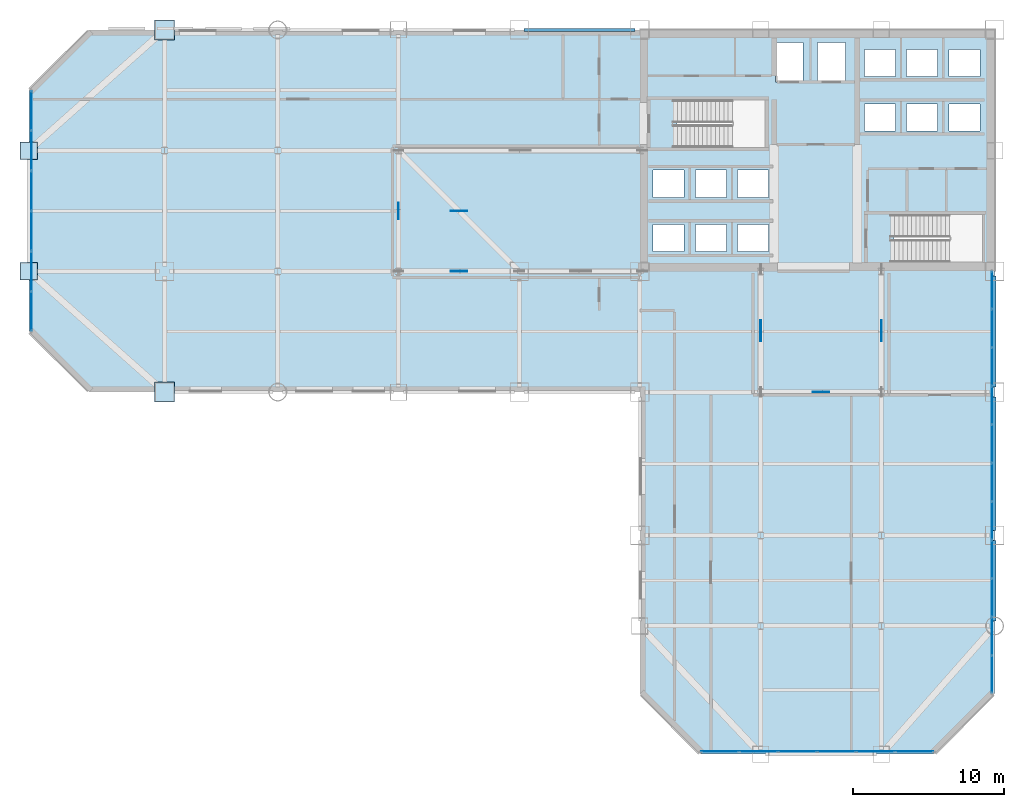
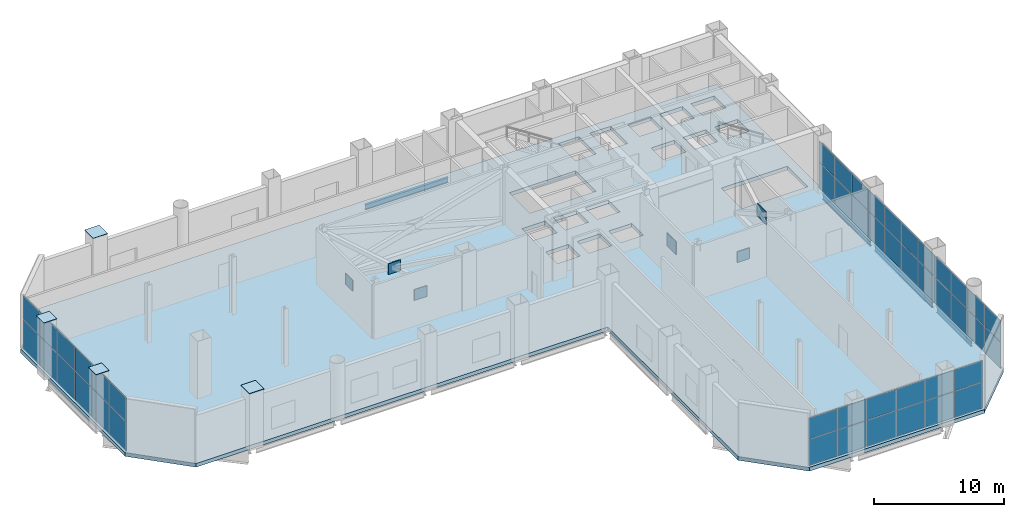
# One storey, part 20 of 26: 56 plates, 4 beams, 1 slab, 3 elements without a shape of their own.
"""IFC4 building model written with IfcOpenShell, lengths in metres."""

from ifc_helpers import new_model, si_unit, direction, frame, origin, origin_2d, place, context, subcontext, project, spatial, polyline, rectangle, i_section, outline, extrude, material, layer, layer_set, material_profile, profile_set, type_object, element, aggregate, save


model = new_model("IFC4")

# Units and contexts
model_context = context("Model", 3, precision=1e-05, world=origin(), true_north=direction((0.0, 1.0)))
body_context = subcontext(model_context, "Body", "Model", "MODEL_VIEW")
ifc_project = project(units=[si_unit("LENGTHUNIT", "METRE"), si_unit("AREAUNIT", "SQUARE_METRE"), si_unit("VOLUMEUNIT", "CUBIC_METRE"), si_unit("PLANEANGLEUNIT", "RADIAN"), si_unit("MASSUNIT", "GRAM", prefix="KILO")], contexts=[model_context])

# Site, building, storey
site_placement = place(None, origin())
site = spatial("IfcSite", under=ifc_project, at=site_placement, CompositionType="ELEMENT")
building_placement = place(site_placement, origin())
building = spatial("IfcBuilding", under=site, at=building_placement, Name="Qianrong Seaharbour Tower", CompositionType="ELEMENT")
storey_placement = place(building_placement, frame((0.0, 0.0, 108.199951171875)))
storey = spatial("IfcBuildingStorey", under=building, at=storey_placement, Name="L26", CompositionType="ELEMENT", Elevation=108.199951171875)

# Beams
ifc_material_1 = material(Name="Structural steel SN490B", Category="steel")
ifc_material_profile = material_profile(ifc_material_1, i_section(OverallWidth=0.199951171875, OverallDepth=0.5, WebThickness=0.010009765625, FlangeThickness=0.01611328125, FilletRadius=0.02001953125, at=origin_2d()), Name="H500x200x10x16")
ifc_profile_set = profile_set([ifc_material_profile], Name="Structural steel SN490B")
beam_type = type_object("IfcBeamType", Name="BM-SP-500", PredefinedType="SPANDREL", material=ifc_profile_set)
beam_1_placement = place(storey_placement, frame((32.820068359375, 52.0, -0.599853515625), z_axis=(1.0, 0.0, 0.0), x_axis=(0.0, 1.0, 0.0)))
element("IfcBeam", 1, at=beam_1_placement, inside=storey, type_object=beam_type, Name="L26 Spandrel Girder GH G5-G6", PredefinedType="SPANDREL", context=body_context, shape_type="SweptSolid", body=[
    extrude(i_section(OverallWidth=0.199951171875, OverallDepth=0.5, WebThickness=0.010009765625, FlangeThickness=0.01611328125, FilletRadius=0.02001953125, at=origin_2d()), origin(), (0.0, 0.0, 1.0), 7.35986328125),
])
beam_2_placement = place(storey_placement, frame((64.0, 12.820068359375, -0.599853515625), z_axis=(0.0, 1.0, 0.0), x_axis=(-1.0, 0.0, 0.0)))
element("IfcBeam", 2, at=beam_2_placement, inside=storey, type_object=beam_type, Name="L26 Spandrel Girder G9 GC-GD", PredefinedType="SPANDREL", context=body_context, shape_type="SweptSolid", body=[
    extrude(i_section(OverallWidth=0.199951171875, OverallDepth=0.5, WebThickness=0.010009765625, FlangeThickness=0.01611328125, FilletRadius=0.02001953125, at=origin_2d()), origin(), (0.0, 0.0, 1.0), 5.35986328125),
])
beam_3_placement = place(storey_placement, frame((64.0, 18.820068359375, -0.599853515625), z_axis=(0.0, 1.0, 0.0), x_axis=(-1.0, 0.0, 0.0)))
element("IfcBeam", 3, at=beam_3_placement, inside=storey, type_object=beam_type, Name="L26 Spandrel Girder G9 GD-GE", PredefinedType="SPANDREL", context=body_context, shape_type="SweptSolid", body=[
    extrude(i_section(OverallWidth=0.199951171875, OverallDepth=0.5, WebThickness=0.010009765625, FlangeThickness=0.01611328125, FilletRadius=0.02001953125, at=origin_2d()), origin(), (0.0, 0.0, 1.0), 8.85986328125),
])
beam_4_placement = place(storey_placement, frame((64.0, 28.320068359375, -0.599853515625), z_axis=(0.0, 1.0, 0.0), x_axis=(-1.0, 0.0, 0.0)))
element("IfcBeam", 4, at=beam_4_placement, inside=storey, type_object=beam_type, Name="L26 Spandrel Girder G9 GE-GF", PredefinedType="SPANDREL", context=body_context, shape_type="SweptSolid", body=[
    extrude(i_section(OverallWidth=0.199951171875, OverallDepth=0.5, WebThickness=0.010009765625, FlangeThickness=0.01611328125, FilletRadius=0.02001953125, at=origin_2d()), origin(), (0.0, 0.0, 1.0), 7.35986328125),
])

# Curtain wall, plates
ifc_material_2 = material(Name="Anodised aluminium 6063-T6 and laminated low-e glass", Category="aluminium")
ifc_layer_1 = layer(ifc_material_2, 0.18505859375)
ifc_layer_set_1 = layer_set([ifc_layer_1], Name="Anodised aluminium 6063-T6 and laminated low-e glass")
curtain_wall_type = type_object("IfcCurtainWallType", Name="CW-SYS-4", PredefinedType="NOTDEFINED", material=ifc_layer_set_1)
curtain_wall_1_placement = place(storey_placement, origin())
curtain_wall_1 = element("IfcCurtainWall", 5, at=curtain_wall_1_placement, inside=storey, type_object=curtain_wall_type, Name="L26 Refuge Acoustic Louvre Curtain Wall WEST_TIP", PredefinedType="NOTDEFINED")
ifc_material_3 = material(Name="Anodised aluminium acoustic louvre cassette", Category="aluminium")
ifc_layer_2 = layer(ifc_material_3, 0.044921875)
ifc_layer_set_2 = layer_set([ifc_layer_2], Name="Anodised aluminium acoustic louvre cassette")
plate_type_1 = type_object("IfcPlateType", Name="CW-PAN-LOUVRE-45", PredefinedType="CURTAIN_PANEL", material=ifc_layer_set_2)
plate_1_placement = place(storey_placement, frame((0.179931640625, 33.350830078125, 0.06494140625), z_axis=(0.0, 0.0, 1.0), x_axis=(0.0, 1.0, 0.0)))
plate_1 = element("IfcPlate", 6, at=plate_1_placement, type_object=plate_type_1, Name="CW-4 panel 1.1", PredefinedType="CURTAIN_PANEL", context=body_context, shape_type="SweptSolid", body=[
    extrude(rectangle(XDim=2.561767578125, YDim=0.044921875, at=origin_2d()), origin(), (0.0, 0.0, 1.0), 2.685546875),
])
plate_2_placement = place(storey_placement, frame((0.179931640625, 33.350830078125, 2.8154296875), z_axis=(0.0, 0.0, 1.0), x_axis=(0.0, 1.0, 0.0)))
plate_2 = element("IfcPlate", 7, at=plate_2_placement, type_object=plate_type_1, Name="CW-4 panel 1.2", PredefinedType="CURTAIN_PANEL", context=body_context, shape_type="SweptSolid", body=[
    extrude(rectangle(XDim=2.561767578125, YDim=0.044921875, at=origin_2d()), origin(), (0.0, 0.0, 1.0), 2.179443359375),
])
plate_3_placement = place(storey_placement, frame((0.179931640625, 36.0, 0.06494140625), z_axis=(0.0, 0.0, 1.0), x_axis=(0.0, 1.0, 0.0)))
plate_3 = element("IfcPlate", 8, at=plate_3_placement, type_object=plate_type_1, Name="CW-4 panel 2.1", PredefinedType="CURTAIN_PANEL", context=body_context, shape_type="SweptSolid", body=[
    extrude(rectangle(XDim=2.5966796875, YDim=0.044921875, at=origin_2d()), origin(), (0.0, 0.0, 1.0), 2.685546875),
])
plate_4_placement = place(storey_placement, frame((0.179931640625, 36.0, 2.8154296875), z_axis=(0.0, 0.0, 1.0), x_axis=(0.0, 1.0, 0.0)))
plate_4 = element("IfcPlate", 9, at=plate_4_placement, type_object=plate_type_1, Name="CW-4 panel 2.2", PredefinedType="CURTAIN_PANEL", context=body_context, shape_type="SweptSolid", body=[
    extrude(rectangle(XDim=2.5966796875, YDim=0.044921875, at=origin_2d()), origin(), (0.0, 0.0, 1.0), 2.179443359375),
])
plate_5_placement = place(storey_placement, frame((0.179931640625, 38.666748046875, 0.06494140625), z_axis=(0.0, 0.0, 1.0), x_axis=(0.0, 1.0, 0.0)))
plate_5 = element("IfcPlate", 10, at=plate_5_placement, type_object=plate_type_1, Name="CW-4 panel 3.1", PredefinedType="CURTAIN_PANEL", context=body_context, shape_type="SweptSolid", body=[
    extrude(rectangle(XDim=2.5966796875, YDim=0.044921875, at=origin_2d()), origin(), (0.0, 0.0, 1.0), 2.685546875),
])
plate_6_placement = place(storey_placement, frame((0.179931640625, 38.666748046875, 2.8154296875), z_axis=(0.0, 0.0, 1.0), x_axis=(0.0, 1.0, 0.0)))
plate_6 = element("IfcPlate", 11, at=plate_6_placement, type_object=plate_type_1, Name="CW-4 panel 3.2", PredefinedType="CURTAIN_PANEL", context=body_context, shape_type="SweptSolid", body=[
    extrude(rectangle(XDim=2.5966796875, YDim=0.044921875, at=origin_2d()), origin(), (0.0, 0.0, 1.0), 2.179443359375),
])
plate_7_placement = place(storey_placement, frame((0.179931640625, 41.333251953125, 0.06494140625), z_axis=(0.0, 0.0, 1.0), x_axis=(0.0, 1.0, 0.0)))
plate_7 = element("IfcPlate", 12, at=plate_7_placement, type_object=plate_type_1, Name="CW-4 panel 4.1", PredefinedType="CURTAIN_PANEL", context=body_context, shape_type="SweptSolid", body=[
    extrude(rectangle(XDim=2.5966796875, YDim=0.044921875, at=origin_2d()), origin(), (0.0, 0.0, 1.0), 2.685546875),
])
plate_8_placement = place(storey_placement, frame((0.179931640625, 41.333251953125, 2.8154296875), z_axis=(0.0, 0.0, 1.0), x_axis=(0.0, 1.0, 0.0)))
plate_8 = element("IfcPlate", 13, at=plate_8_placement, type_object=plate_type_1, Name="CW-4 panel 4.2", PredefinedType="CURTAIN_PANEL", context=body_context, shape_type="SweptSolid", body=[
    extrude(rectangle(XDim=2.5966796875, YDim=0.044921875, at=origin_2d()), origin(), (0.0, 0.0, 1.0), 2.179443359375),
])
plate_9_placement = place(storey_placement, frame((0.179931640625, 44.0, 0.06494140625), z_axis=(0.0, 0.0, 1.0), x_axis=(0.0, 1.0, 0.0)))
plate_9 = element("IfcPlate", 14, at=plate_9_placement, type_object=plate_type_1, Name="CW-4 panel 5.1", PredefinedType="CURTAIN_PANEL", context=body_context, shape_type="SweptSolid", body=[
    extrude(rectangle(XDim=2.5966796875, YDim=0.044921875, at=origin_2d()), origin(), (0.0, 0.0, 1.0), 2.685546875),
])
plate_10_placement = place(storey_placement, frame((0.179931640625, 44.0, 2.8154296875), z_axis=(0.0, 0.0, 1.0), x_axis=(0.0, 1.0, 0.0)))
plate_10 = element("IfcPlate", 15, at=plate_10_placement, type_object=plate_type_1, Name="CW-4 panel 5.2", PredefinedType="CURTAIN_PANEL", context=body_context, shape_type="SweptSolid", body=[
    extrude(rectangle(XDim=2.5966796875, YDim=0.044921875, at=origin_2d()), origin(), (0.0, 0.0, 1.0), 2.179443359375),
])
plate_11_placement = place(storey_placement, frame((0.179931640625, 46.649169921875, 0.06494140625), z_axis=(0.0, 0.0, 1.0), x_axis=(0.0, 1.0, 0.0)))
plate_11 = element("IfcPlate", 16, at=plate_11_placement, type_object=plate_type_1, Name="CW-4 panel 6.1", PredefinedType="CURTAIN_PANEL", context=body_context, shape_type="SweptSolid", body=[
    extrude(rectangle(XDim=2.561767578125, YDim=0.044921875, at=origin_2d()), origin(), (0.0, 0.0, 1.0), 2.685546875),
])
plate_12_placement = place(storey_placement, frame((0.179931640625, 46.649169921875, 2.8154296875), z_axis=(0.0, 0.0, 1.0), x_axis=(0.0, 1.0, 0.0)))
plate_12 = element("IfcPlate", 17, at=plate_12_placement, type_object=plate_type_1, Name="CW-4 panel 6.2", PredefinedType="CURTAIN_PANEL", context=body_context, shape_type="SweptSolid", body=[
    extrude(rectangle(XDim=2.561767578125, YDim=0.044921875, at=origin_2d()), origin(), (0.0, 0.0, 1.0), 2.179443359375),
])
aggregate(curtain_wall_1, [plate_1, plate_2, plate_3, plate_4, plate_5, plate_6, plate_7, plate_8, plate_9, plate_10, plate_11, plate_12])

curtain_wall_2_placement = place(storey_placement, origin())
curtain_wall_2 = element("IfcCurtainWall", 18, at=curtain_wall_2_placement, inside=storey, type_object=curtain_wall_type, Name="L26 Refuge Acoustic Louvre Curtain Wall EAST_WING", PredefinedType="NOTDEFINED")
plate_13_placement = place(storey_placement, frame((63.820068359375, 34.757568359375, 0.06494140625), z_axis=(0.0, 0.0, 1.0), x_axis=(0.0, -1.0, 0.0)))
plate_13 = element("IfcPlate", 19, at=plate_13_placement, type_object=plate_type_1, Name="CW-4 panel 1.1", PredefinedType="CURTAIN_PANEL", context=body_context, shape_type="SweptSolid", body=[
    extrude(rectangle(XDim=2.445068359375, YDim=0.044921875, at=origin_2d()), origin(), (0.0, 0.0, 1.0), 2.410400390625),
])
plate_14_placement = place(storey_placement, frame((63.820068359375, 34.757568359375, 2.54052734375), z_axis=(0.0, 0.0, 1.0), x_axis=(0.0, -1.0, 0.0)))
plate_14 = element("IfcPlate", 20, at=plate_14_placement, type_object=plate_type_1, Name="CW-4 panel 1.2", PredefinedType="CURTAIN_PANEL", context=body_context, shape_type="SweptSolid", body=[
    extrude(rectangle(XDim=2.445068359375, YDim=0.044921875, at=origin_2d()), origin(), (0.0, 0.0, 1.0), 1.95458984375),
])
plate_15_placement = place(storey_placement, frame((63.820068359375, 32.22509765625, 0.06494140625), z_axis=(0.0, 0.0, 1.0), x_axis=(0.0, -1.0, 0.0)))
plate_15 = element("IfcPlate", 21, at=plate_15_placement, type_object=plate_type_1, Name="CW-4 panel 2.1", PredefinedType="CURTAIN_PANEL", context=body_context, shape_type="SweptSolid", body=[
    extrude(rectangle(XDim=2.47998046875, YDim=0.044921875, at=origin_2d()), origin(), (0.0, 0.0, 1.0), 2.410400390625),
])
plate_16_placement = place(storey_placement, frame((63.820068359375, 32.22509765625, 2.54052734375), z_axis=(0.0, 0.0, 1.0), x_axis=(0.0, -1.0, 0.0)))
plate_16 = element("IfcPlate", 22, at=plate_16_placement, type_object=plate_type_1, Name="CW-4 panel 2.2", PredefinedType="CURTAIN_PANEL", context=body_context, shape_type="SweptSolid", body=[
    extrude(rectangle(XDim=2.47998046875, YDim=0.044921875, at=origin_2d()), origin(), (0.0, 0.0, 1.0), 1.95458984375),
])
plate_17_placement = place(storey_placement, frame((63.820068359375, 29.675048828125, 0.06494140625), z_axis=(0.0, 0.0, 1.0), x_axis=(0.0, -1.0, 0.0)))
plate_17 = element("IfcPlate", 23, at=plate_17_placement, type_object=plate_type_1, Name="CW-4 panel 3.1", PredefinedType="CURTAIN_PANEL", context=body_context, shape_type="SweptSolid", body=[
    extrude(rectangle(XDim=2.47998046875, YDim=0.044921875, at=origin_2d()), origin(), (0.0, 0.0, 1.0), 2.410400390625),
])
plate_18_placement = place(storey_placement, frame((63.820068359375, 29.675048828125, 2.54052734375), z_axis=(0.0, 0.0, 1.0), x_axis=(0.0, -1.0, 0.0)))
plate_18 = element("IfcPlate", 24, at=plate_18_placement, type_object=plate_type_1, Name="CW-4 panel 3.2", PredefinedType="CURTAIN_PANEL", context=body_context, shape_type="SweptSolid", body=[
    extrude(rectangle(XDim=2.47998046875, YDim=0.044921875, at=origin_2d()), origin(), (0.0, 0.0, 1.0), 1.95458984375),
])
plate_19_placement = place(storey_placement, frame((63.820068359375, 27.125, 0.06494140625), z_axis=(0.0, 0.0, 1.0), x_axis=(0.0, -1.0, 0.0)))
plate_19 = element("IfcPlate", 25, at=plate_19_placement, type_object=plate_type_1, Name="CW-4 panel 4.1", PredefinedType="CURTAIN_PANEL", context=body_context, shape_type="SweptSolid", body=[
    extrude(rectangle(XDim=2.47998046875, YDim=0.044921875, at=origin_2d()), origin(), (0.0, 0.0, 1.0), 2.410400390625),
])
plate_20_placement = place(storey_placement, frame((63.820068359375, 27.125, 2.54052734375), z_axis=(0.0, 0.0, 1.0), x_axis=(0.0, -1.0, 0.0)))
plate_20 = element("IfcPlate", 26, at=plate_20_placement, type_object=plate_type_1, Name="CW-4 panel 4.2", PredefinedType="CURTAIN_PANEL", context=body_context, shape_type="SweptSolid", body=[
    extrude(rectangle(XDim=2.47998046875, YDim=0.044921875, at=origin_2d()), origin(), (0.0, 0.0, 1.0), 1.95458984375),
])
plate_21_placement = place(storey_placement, frame((63.820068359375, 24.574951171875, 0.06494140625), z_axis=(0.0, 0.0, 1.0), x_axis=(0.0, -1.0, 0.0)))
plate_21 = element("IfcPlate", 27, at=plate_21_placement, type_object=plate_type_1, Name="CW-4 panel 5.1", PredefinedType="CURTAIN_PANEL", context=body_context, shape_type="SweptSolid", body=[
    extrude(rectangle(XDim=2.47998046875, YDim=0.044921875, at=origin_2d()), origin(), (0.0, 0.0, 1.0), 2.410400390625),
])
plate_22_placement = place(storey_placement, frame((63.820068359375, 24.574951171875, 2.54052734375), z_axis=(0.0, 0.0, 1.0), x_axis=(0.0, -1.0, 0.0)))
plate_22 = element("IfcPlate", 28, at=plate_22_placement, type_object=plate_type_1, Name="CW-4 panel 5.2", PredefinedType="CURTAIN_PANEL", context=body_context, shape_type="SweptSolid", body=[
    extrude(rectangle(XDim=2.47998046875, YDim=0.044921875, at=origin_2d()), origin(), (0.0, 0.0, 1.0), 1.95458984375),
])
plate_23_placement = place(storey_placement, frame((63.820068359375, 22.02490234375, 0.06494140625), z_axis=(0.0, 0.0, 1.0), x_axis=(0.0, -1.0, 0.0)))
plate_23 = element("IfcPlate", 29, at=plate_23_placement, type_object=plate_type_1, Name="CW-4 panel 6.1", PredefinedType="CURTAIN_PANEL", context=body_context, shape_type="SweptSolid", body=[
    extrude(rectangle(XDim=2.47998046875, YDim=0.044921875, at=origin_2d()), origin(), (0.0, 0.0, 1.0), 2.410400390625),
])
plate_24_placement = place(storey_placement, frame((63.820068359375, 22.02490234375, 2.54052734375), z_axis=(0.0, 0.0, 1.0), x_axis=(0.0, -1.0, 0.0)))
plate_24 = element("IfcPlate", 30, at=plate_24_placement, type_object=plate_type_1, Name="CW-4 panel 6.2", PredefinedType="CURTAIN_PANEL", context=body_context, shape_type="SweptSolid", body=[
    extrude(rectangle(XDim=2.47998046875, YDim=0.044921875, at=origin_2d()), origin(), (0.0, 0.0, 1.0), 1.95458984375),
])
plate_25_placement = place(storey_placement, frame((63.820068359375, 19.47509765625, 0.06494140625), z_axis=(0.0, 0.0, 1.0), x_axis=(0.0, -1.0, 0.0)))
plate_25 = element("IfcPlate", 31, at=plate_25_placement, type_object=plate_type_1, Name="CW-4 panel 7.1", PredefinedType="CURTAIN_PANEL", context=body_context, shape_type="SweptSolid", body=[
    extrude(rectangle(XDim=2.47998046875, YDim=0.044921875, at=origin_2d()), origin(), (0.0, 0.0, 1.0), 2.410400390625),
])
plate_26_placement = place(storey_placement, frame((63.820068359375, 19.47509765625, 2.54052734375), z_axis=(0.0, 0.0, 1.0), x_axis=(0.0, -1.0, 0.0)))
plate_26 = element("IfcPlate", 32, at=plate_26_placement, type_object=plate_type_1, Name="CW-4 panel 7.2", PredefinedType="CURTAIN_PANEL", context=body_context, shape_type="SweptSolid", body=[
    extrude(rectangle(XDim=2.47998046875, YDim=0.044921875, at=origin_2d()), origin(), (0.0, 0.0, 1.0), 1.95458984375),
])
plate_27_placement = place(storey_placement, frame((63.820068359375, 16.925048828125, 0.06494140625), z_axis=(0.0, 0.0, 1.0), x_axis=(0.0, -1.0, 0.0)))
plate_27 = element("IfcPlate", 33, at=plate_27_placement, type_object=plate_type_1, Name="CW-4 panel 8.1", PredefinedType="CURTAIN_PANEL", context=body_context, shape_type="SweptSolid", body=[
    extrude(rectangle(XDim=2.47998046875, YDim=0.044921875, at=origin_2d()), origin(), (0.0, 0.0, 1.0), 2.410400390625),
])
plate_28_placement = place(storey_placement, frame((63.820068359375, 16.925048828125, 2.54052734375), z_axis=(0.0, 0.0, 1.0), x_axis=(0.0, -1.0, 0.0)))
plate_28 = element("IfcPlate", 34, at=plate_28_placement, type_object=plate_type_1, Name="CW-4 panel 8.2", PredefinedType="CURTAIN_PANEL", context=body_context, shape_type="SweptSolid", body=[
    extrude(rectangle(XDim=2.47998046875, YDim=0.044921875, at=origin_2d()), origin(), (0.0, 0.0, 1.0), 1.95458984375),
])
plate_29_placement = place(storey_placement, frame((63.820068359375, 14.375, 0.06494140625), z_axis=(0.0, 0.0, 1.0), x_axis=(0.0, -1.0, 0.0)))
plate_29 = element("IfcPlate", 35, at=plate_29_placement, type_object=plate_type_1, Name="CW-4 panel 9.1", PredefinedType="CURTAIN_PANEL", context=body_context, shape_type="SweptSolid", body=[
    extrude(rectangle(XDim=2.47998046875, YDim=0.044921875, at=origin_2d()), origin(), (0.0, 0.0, 1.0), 2.410400390625),
])
plate_30_placement = place(storey_placement, frame((63.820068359375, 14.375, 2.54052734375), z_axis=(0.0, 0.0, 1.0), x_axis=(0.0, -1.0, 0.0)))
plate_30 = element("IfcPlate", 36, at=plate_30_placement, type_object=plate_type_1, Name="CW-4 panel 9.2", PredefinedType="CURTAIN_PANEL", context=body_context, shape_type="SweptSolid", body=[
    extrude(rectangle(XDim=2.47998046875, YDim=0.044921875, at=origin_2d()), origin(), (0.0, 0.0, 1.0), 1.95458984375),
])
plate_31_placement = place(storey_placement, frame((63.820068359375, 11.824951171875, 0.06494140625), z_axis=(0.0, 0.0, 1.0), x_axis=(0.0, -1.0, 0.0)))
plate_31 = element("IfcPlate", 37, at=plate_31_placement, type_object=plate_type_1, Name="CW-4 panel 10.1", PredefinedType="CURTAIN_PANEL", context=body_context, shape_type="SweptSolid", body=[
    extrude(rectangle(XDim=2.47998046875, YDim=0.044921875, at=origin_2d()), origin(), (0.0, 0.0, 1.0), 2.410400390625),
])
plate_32_placement = place(storey_placement, frame((63.820068359375, 11.824951171875, 2.54052734375), z_axis=(0.0, 0.0, 1.0), x_axis=(0.0, -1.0, 0.0)))
plate_32 = element("IfcPlate", 38, at=plate_32_placement, type_object=plate_type_1, Name="CW-4 panel 10.2", PredefinedType="CURTAIN_PANEL", context=body_context, shape_type="SweptSolid", body=[
    extrude(rectangle(XDim=2.47998046875, YDim=0.044921875, at=origin_2d()), origin(), (0.0, 0.0, 1.0), 1.95458984375),
])
plate_33_placement = place(storey_placement, frame((63.820068359375, 9.29248046875, 0.06494140625), z_axis=(0.0, 0.0, 1.0), x_axis=(0.0, -1.0, 0.0)))
plate_33 = element("IfcPlate", 39, at=plate_33_placement, type_object=plate_type_1, Name="CW-4 panel 11.1", PredefinedType="CURTAIN_PANEL", context=body_context, shape_type="SweptSolid", body=[
    extrude(rectangle(XDim=2.445068359375, YDim=0.044921875, at=origin_2d()), origin(), (0.0, 0.0, 1.0), 2.410400390625),
])
plate_34_placement = place(storey_placement, frame((63.820068359375, 9.29248046875, 2.54052734375), z_axis=(0.0, 0.0, 1.0), x_axis=(0.0, -1.0, 0.0)))
plate_34 = element("IfcPlate", 40, at=plate_34_placement, type_object=plate_type_1, Name="CW-4 panel 11.2", PredefinedType="CURTAIN_PANEL", context=body_context, shape_type="SweptSolid", body=[
    extrude(rectangle(XDim=2.445068359375, YDim=0.044921875, at=origin_2d()), origin(), (0.0, 0.0, 1.0), 1.95458984375),
])
aggregate(curtain_wall_2, [plate_13, plate_14, plate_15, plate_16, plate_17, plate_18, plate_19, plate_20, plate_21, plate_22, plate_23, plate_24, plate_25, plate_26, plate_27, plate_28, plate_29, plate_30, plate_31, plate_32, plate_33, plate_34])

curtain_wall_3_placement = place(storey_placement, origin())
curtain_wall_3 = element("IfcCurtainWall", 41, at=curtain_wall_3_placement, inside=storey, type_object=curtain_wall_type, Name="L26 Refuge Acoustic Louvre Curtain Wall SOUTH_TIP", PredefinedType="NOTDEFINED")
plate_35_placement = place(storey_placement, frame((58.69091796875, 4.179931640625, 0.06494140625), z_axis=(0.0, 0.0, 1.0), x_axis=(-1.0, 0.0, 0.0)))
plate_35 = element("IfcPlate", 42, at=plate_35_placement, type_object=plate_type_1, Name="CW-4 panel 1.1", PredefinedType="CURTAIN_PANEL", context=body_context, shape_type="SweptSolid", body=[
    extrude(rectangle(XDim=2.478271484375, YDim=0.044921875, at=origin_2d()), origin(), (0.0, 0.0, 1.0), 2.410400390625),
])
plate_36_placement = place(storey_placement, frame((58.69091796875, 4.179931640625, 2.54052734375), z_axis=(0.0, 0.0, 1.0), x_axis=(-1.0, 0.0, 0.0)))
plate_36 = element("IfcPlate", 43, at=plate_36_placement, type_object=plate_type_1, Name="CW-4 panel 1.2", PredefinedType="CURTAIN_PANEL", context=body_context, shape_type="SweptSolid", body=[
    extrude(rectangle(XDim=2.478271484375, YDim=0.044921875, at=origin_2d()), origin(), (0.0, 0.0, 1.0), 1.95458984375),
])
plate_37_placement = place(storey_placement, frame((56.125, 4.179931640625, 0.06494140625), z_axis=(0.0, 0.0, 1.0), x_axis=(-1.0, 0.0, 0.0)))
plate_37 = element("IfcPlate", 44, at=plate_37_placement, type_object=plate_type_1, Name="CW-4 panel 2.1", PredefinedType="CURTAIN_PANEL", context=body_context, shape_type="SweptSolid", body=[
    extrude(rectangle(XDim=2.513427734375, YDim=0.044921875, at=origin_2d()), origin(), (0.0, 0.0, 1.0), 2.410400390625),
])
plate_38_placement = place(storey_placement, frame((56.125, 4.179931640625, 2.54052734375), z_axis=(0.0, 0.0, 1.0), x_axis=(-1.0, 0.0, 0.0)))
plate_38 = element("IfcPlate", 45, at=plate_38_placement, type_object=plate_type_1, Name="CW-4 panel 2.2", PredefinedType="CURTAIN_PANEL", context=body_context, shape_type="SweptSolid", body=[
    extrude(rectangle(XDim=2.513427734375, YDim=0.044921875, at=origin_2d()), origin(), (0.0, 0.0, 1.0), 1.95458984375),
])
plate_39_placement = place(storey_placement, frame((53.541748046875, 4.179931640625, 0.06494140625), z_axis=(0.0, 0.0, 1.0), x_axis=(-1.0, 0.0, 0.0)))
plate_39 = element("IfcPlate", 46, at=plate_39_placement, type_object=plate_type_1, Name="CW-4 panel 3.1", PredefinedType="CURTAIN_PANEL", context=body_context, shape_type="SweptSolid", body=[
    extrude(rectangle(XDim=2.513427734375, YDim=0.044921875, at=origin_2d()), origin(), (0.0, 0.0, 1.0), 2.410400390625),
])
plate_40_placement = place(storey_placement, frame((53.541748046875, 4.179931640625, 2.54052734375), z_axis=(0.0, 0.0, 1.0), x_axis=(-1.0, 0.0, 0.0)))
plate_40 = element("IfcPlate", 47, at=plate_40_placement, type_object=plate_type_1, Name="CW-4 panel 3.2", PredefinedType="CURTAIN_PANEL", context=body_context, shape_type="SweptSolid", body=[
    extrude(rectangle(XDim=2.513427734375, YDim=0.044921875, at=origin_2d()), origin(), (0.0, 0.0, 1.0), 1.95458984375),
])
plate_41_placement = place(storey_placement, frame((50.958251953125, 4.179931640625, 0.06494140625), z_axis=(0.0, 0.0, 1.0), x_axis=(-1.0, 0.0, 0.0)))
plate_41 = element("IfcPlate", 48, at=plate_41_placement, type_object=plate_type_1, Name="CW-4 panel 4.1", PredefinedType="CURTAIN_PANEL", context=body_context, shape_type="SweptSolid", body=[
    extrude(rectangle(XDim=2.513427734375, YDim=0.044921875, at=origin_2d()), origin(), (0.0, 0.0, 1.0), 2.410400390625),
])
plate_42_placement = place(storey_placement, frame((50.958251953125, 4.179931640625, 2.54052734375), z_axis=(0.0, 0.0, 1.0), x_axis=(-1.0, 0.0, 0.0)))
plate_42 = element("IfcPlate", 49, at=plate_42_placement, type_object=plate_type_1, Name="CW-4 panel 4.2", PredefinedType="CURTAIN_PANEL", context=body_context, shape_type="SweptSolid", body=[
    extrude(rectangle(XDim=2.513427734375, YDim=0.044921875, at=origin_2d()), origin(), (0.0, 0.0, 1.0), 1.95458984375),
])
plate_43_placement = place(storey_placement, frame((48.375, 4.179931640625, 0.06494140625), z_axis=(0.0, 0.0, 1.0), x_axis=(-1.0, 0.0, 0.0)))
plate_43 = element("IfcPlate", 50, at=plate_43_placement, type_object=plate_type_1, Name="CW-4 panel 5.1", PredefinedType="CURTAIN_PANEL", context=body_context, shape_type="SweptSolid", body=[
    extrude(rectangle(XDim=2.513427734375, YDim=0.044921875, at=origin_2d()), origin(), (0.0, 0.0, 1.0), 2.410400390625),
])
plate_44_placement = place(storey_placement, frame((48.375, 4.179931640625, 2.54052734375), z_axis=(0.0, 0.0, 1.0), x_axis=(-1.0, 0.0, 0.0)))
plate_44 = element("IfcPlate", 51, at=plate_44_placement, type_object=plate_type_1, Name="CW-4 panel 5.2", PredefinedType="CURTAIN_PANEL", context=body_context, shape_type="SweptSolid", body=[
    extrude(rectangle(XDim=2.513427734375, YDim=0.044921875, at=origin_2d()), origin(), (0.0, 0.0, 1.0), 1.95458984375),
])
plate_45_placement = place(storey_placement, frame((45.80908203125, 4.179931640625, 0.06494140625), z_axis=(0.0, 0.0, 1.0), x_axis=(-1.0, 0.0, 0.0)))
plate_45 = element("IfcPlate", 52, at=plate_45_placement, type_object=plate_type_1, Name="CW-4 panel 6.1", PredefinedType="CURTAIN_PANEL", context=body_context, shape_type="SweptSolid", body=[
    extrude(rectangle(XDim=2.478271484375, YDim=0.044921875, at=origin_2d()), origin(), (0.0, 0.0, 1.0), 2.410400390625),
])
plate_46_placement = place(storey_placement, frame((45.80908203125, 4.179931640625, 2.54052734375), z_axis=(0.0, 0.0, 1.0), x_axis=(-1.0, 0.0, 0.0)))
plate_46 = element("IfcPlate", 53, at=plate_46_placement, type_object=plate_type_1, Name="CW-4 panel 6.2", PredefinedType="CURTAIN_PANEL", context=body_context, shape_type="SweptSolid", body=[
    extrude(rectangle(XDim=2.478271484375, YDim=0.044921875, at=origin_2d()), origin(), (0.0, 0.0, 1.0), 1.95458984375),
])
aggregate(curtain_wall_3, [plate_35, plate_36, plate_37, plate_38, plate_39, plate_40, plate_41, plate_42, plate_43, plate_44, plate_45, plate_46])

# Plates
ifc_layer_3 = layer(ifc_material_1, 0.044921875)
ifc_layer_set_3 = layer_set([ifc_layer_3], Name="Structural steel SN490B")
plate_type_2 = type_object("IfcPlateType", Name="PLT-COL-CAP-45", PredefinedType="SHEET", material=ifc_layer_set_3)
for number, where, z_axis, x_axis, name in (
    (54, (0.0, 36.0, 5.377685546875), (0.0, 0.0, 1.0), (1.0, 0.0, 0.0), "L26 Hollow Column Closure Cap Plate G1/GF"),
    (55, (0.0, 44.0, 5.377685546875), (0.0, 0.0, 1.0), (1.0, 0.0, 0.0), "L26 Hollow Column Closure Cap Plate G1/GG"),
):
    element("IfcPlate", number, at=place(storey_placement, frame(where, z_axis=z_axis, x_axis=x_axis)), inside=storey, type_object=plate_type_2, Name=name, PredefinedType="SHEET", context=body_context, shape_type="SweptSolid", body=[
        extrude(rectangle(XDim=1.159912109375, YDim=1.159912109375, at=origin_2d()), origin(), (0.0, 0.0, 1.0), 0.044921875),
    ])
for number, where, z_axis, x_axis, name in (
    (56, (9.0, 28.0, 5.377685546875), (0.0, 0.0, 1.0), (1.0, 0.0, 0.0), "L26 Hollow Column Closure Cap Plate G2/GE"),
    (57, (9.0, 52.0, 5.377685546875), (0.0, 0.0, 1.0), (1.0, 0.0, 0.0), "L26 Hollow Column Closure Cap Plate G2/GH"),
):
    element("IfcPlate", number, at=place(storey_placement, frame(where, z_axis=z_axis, x_axis=x_axis)), inside=storey, type_object=plate_type_2, Name=name, PredefinedType="SHEET", context=body_context, shape_type="SweptSolid", body=[
        extrude(rectangle(XDim=1.31005859375, YDim=1.31005859375, at=origin_2d()), origin(), (0.0, 0.0, 1.0), 0.044921875),
    ])
ifc_layer_4 = layer(ifc_material_1, 0.050048828125)
ifc_layer_set_4 = layer_set([ifc_layer_4], Name="Structural steel SN490B")
plate_type_3 = type_object("IfcPlateType", Name="PLT-OUTRIGGER-GUSSET-50", PredefinedType="USERDEFINED", material=ifc_layer_set_4)
for number, where, z_axis, x_axis, name in (
    (58, (48.5, 32.074951171875, 1.9501953125), (0.0, 0.0, 1.0), (1.0, 0.0, 0.0), "L26 Outrigger X-Crossing Gusset Node Plate G7"),
    (59, (56.5, 32.074951171875, 1.9501953125), (0.0, 0.0, 1.0), (1.0, 0.0, 0.0), "L26 Outrigger X-Crossing Gusset Node Plate G8"),
):
    element("IfcPlate", number, at=place(storey_placement, frame(where, z_axis=z_axis, x_axis=x_axis)), inside=storey, type_object=plate_type_3, Name=name, ObjectType="GUSSET PLATE", PredefinedType="USERDEFINED", context=body_context, shape_type="SweptSolid", body=[
        extrude(rectangle(XDim=0.050048828125, YDim=1.39990234375, at=origin_2d()), origin(), (0.0, 0.0, 1.0), 1.199951171875),
    ])
plate_47_placement = place(storey_placement, frame((28.5, 36.0, 2.050048828125), z_axis=(0.0, 0.0, 1.0), x_axis=(1.0, 0.0, 0.0)))
element("IfcPlate", 60, at=plate_47_placement, inside=storey, type_object=plate_type_3, Name="L26 Belt Truss X-Crossing Gusset Node Plate B1", ObjectType="GUSSET PLATE", PredefinedType="USERDEFINED", context=body_context, shape_type="SweptSolid", body=[
    extrude(rectangle(XDim=1.10009765625, YDim=0.050048828125, at=origin_2d()), origin(), (0.0, 0.0, 1.0), 1.0),
])
plate_48_placement = place(storey_placement, frame((24.5, 40.0, 2.050048828125), z_axis=(0.0, 0.0, 1.0), x_axis=(1.0, 0.0, 0.0)))
element("IfcPlate", 61, at=plate_48_placement, inside=storey, type_object=plate_type_3, Name="L26 Belt Truss X-Crossing Gusset Node Plate B2", ObjectType="GUSSET PLATE", PredefinedType="USERDEFINED", context=body_context, shape_type="SweptSolid", body=[
    extrude(rectangle(XDim=0.050048828125, YDim=1.10009765625, at=origin_2d()), origin(), (0.0, 0.0, 1.0), 1.0),
])
for number, where, z_axis, x_axis, name in (
    (62, (52.5, 28.0, 2.050048828125), (0.0, 0.0, 1.0), (1.0, 0.0, 0.0), "L26 Belt Truss X-Crossing Gusset Node Plate B3"),
    (63, (28.5, 40.0, 2.050048828125), (0.0, 0.0, 1.0), (1.0, 0.0, 0.0), "L26 Belt Truss X-Crossing Gusset Node Plate B4"),
):
    element("IfcPlate", number, at=place(storey_placement, frame(where, z_axis=z_axis, x_axis=x_axis)), inside=storey, type_object=plate_type_3, Name=name, ObjectType="GUSSET PLATE", PredefinedType="USERDEFINED", context=body_context, shape_type="SweptSolid", body=[
        extrude(rectangle(XDim=1.10009765625, YDim=0.050048828125, at=origin_2d()), origin(), (0.0, 0.0, 1.0), 1.0),
    ])

# Slab
ifc_material_4 = material(Name="Concrete C50/60", Category="concrete")
ifc_layer_5 = layer(ifc_material_4, 0.35009765625)
ifc_layer_set_5 = layer_set([ifc_layer_5], Name="Concrete C50/60")
slab_type = type_object("IfcSlabType", Name="SLAB-REF-350", PredefinedType="FLOOR", material=ifc_layer_set_5)
slab_placement = place(storey_placement, frame((0.0, 0.0, -0.349853515625)))
element("IfcSlab", 64, at=slab_placement, inside=storey, type_object=slab_type, Name="L26 Structural Floor Slab", PredefinedType="FLOOR", context=body_context, shape_type="SweptSolid", body=[
    extrude(outline(polyline([(44.5, 4.0), (60.0, 4.0), (64.0, 8.0), (64.0, 52.0), (4.0, 52.0), (0.0, 48.0), (0.0, 32.0), (4.0, 28.0), (40.5, 28.0), (40.5, 8.0), (44.5, 4.0)]), holes=[polyline([(42.93994140625, 44.199951171875), (42.93994140625, 47.35009765625), (48.800048828125, 47.35009765625), (48.800048828125, 44.199951171875), (42.93994140625, 44.199951171875)]), polyline([(57.340087890625, 36.60009765625), (57.340087890625, 39.75), (63.199951171875, 39.75), (63.199951171875, 36.60009765625), (57.340087890625, 36.60009765625)]), polyline([(49.47998046875, 48.530029296875), (49.47998046875, 51.169921875), (51.320068359375, 51.169921875), (51.320068359375, 48.530029296875), (49.47998046875, 48.530029296875)]), polyline([(52.280029296875, 48.530029296875), (52.280029296875, 51.169921875), (54.1201171875, 51.169921875), (54.1201171875, 48.530029296875), (52.280029296875, 48.530029296875)]), polyline([(41.3798828125, 37.300048828125), (41.3798828125, 39.10009765625), (43.419921875, 39.10009765625), (43.419921875, 37.300048828125), (41.3798828125, 37.300048828125)]), polyline([(44.179931640625, 37.300048828125), (44.179931640625, 39.10009765625), (46.219970703125, 39.10009765625), (46.219970703125, 37.300048828125), (44.179931640625, 37.300048828125)]), polyline([(46.97998046875, 37.300048828125), (46.97998046875, 39.10009765625), (49.02001953125, 39.10009765625), (49.02001953125, 37.300048828125), (46.97998046875, 37.300048828125)]), polyline([(41.3798828125, 40.89990234375), (41.3798828125, 42.699951171875), (43.419921875, 42.699951171875), (43.419921875, 40.89990234375), (41.3798828125, 40.89990234375)]), polyline([(44.179931640625, 40.89990234375), (44.179931640625, 42.699951171875), (46.219970703125, 42.699951171875), (46.219970703125, 40.89990234375), (44.179931640625, 40.89990234375)]), polyline([(46.97998046875, 40.89990234375), (46.97998046875, 42.699951171875), (49.02001953125, 42.699951171875), (49.02001953125, 40.89990234375), (46.97998046875, 40.89990234375)]), polyline([(55.3798828125, 45.300048828125), (55.3798828125, 47.10009765625), (57.419921875, 47.10009765625), (57.419921875, 45.300048828125), (55.3798828125, 45.300048828125)]), polyline([(58.179931640625, 45.300048828125), (58.179931640625, 47.10009765625), (60.219970703125, 47.10009765625), (60.219970703125, 45.300048828125), (58.179931640625, 45.300048828125)]), polyline([(60.97998046875, 45.300048828125), (60.97998046875, 47.10009765625), (63.02001953125, 47.10009765625), (63.02001953125, 45.300048828125), (60.97998046875, 45.300048828125)]), polyline([(55.3798828125, 48.89990234375), (55.3798828125, 50.699951171875), (57.419921875, 50.699951171875), (57.419921875, 48.89990234375), (55.3798828125, 48.89990234375)]), polyline([(58.179931640625, 48.89990234375), (58.179931640625, 50.699951171875), (60.219970703125, 50.699951171875), (60.219970703125, 48.89990234375), (58.179931640625, 48.89990234375)]), polyline([(60.97998046875, 48.89990234375), (60.97998046875, 50.699951171875), (63.02001953125, 50.699951171875), (63.02001953125, 48.89990234375), (60.97998046875, 48.89990234375)])]), origin(), (0.0, 0.0, 1.0), 0.349853515625),
])

save(model, "model.ifc")
